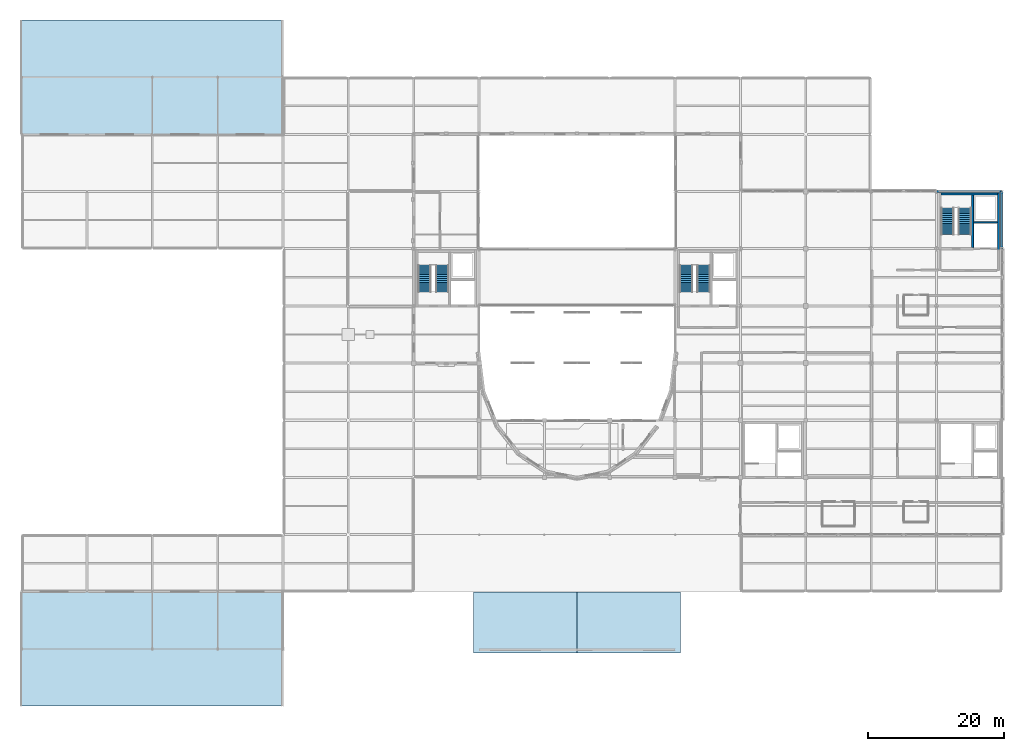
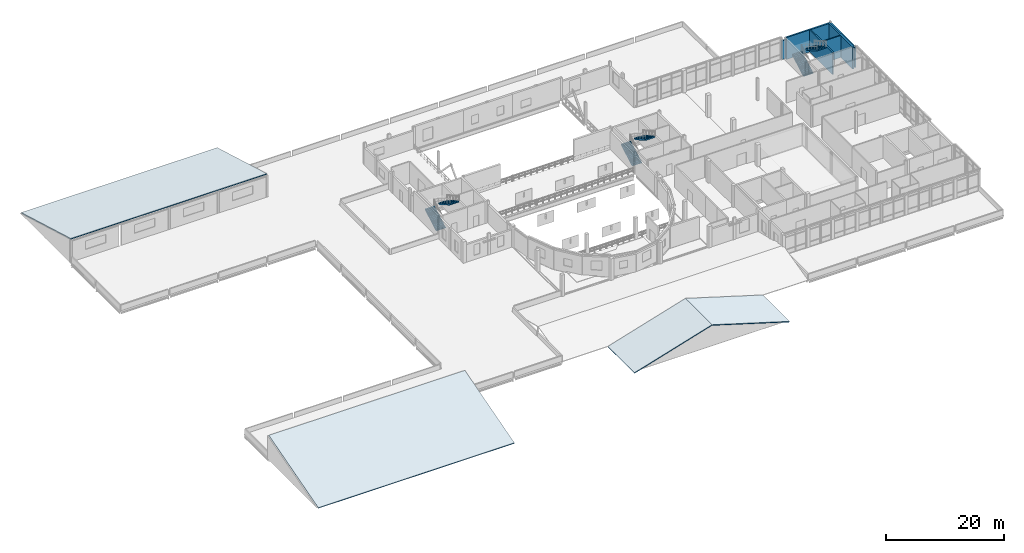
# One storey, part 44 of 52: 6 stair flights, 6 walls, 4 roofs, 3 elements without a shape of their own.
"""IFC4 building model written with IfcOpenShell, lengths in metres."""

from ifc_helpers import new_model, si_unit, direction, frame, frame_2d, origin, place, context, subcontext, project, spatial, polyline, rectangle, outline, extrude, material, layer, layer_set, type_object, element, aggregate, save


model = new_model("IFC4")

# Units and contexts
model_context = context("Model", 3, precision=1e-05, world=origin(), true_north=direction((0.0, 1.0)))
body_context = subcontext(model_context, "Body", "Model", "MODEL_VIEW")
ifc_project = project(units=[si_unit("LENGTHUNIT", "METRE"), si_unit("AREAUNIT", "SQUARE_METRE"), si_unit("VOLUMEUNIT", "CUBIC_METRE"), si_unit("PLANEANGLEUNIT", "RADIAN"), si_unit("MASSUNIT", "GRAM", prefix="KILO")], contexts=[model_context])

# Site, building, storey
site_placement = place(None, origin())
site = spatial("IfcSite", under=ifc_project, at=site_placement, CompositionType="ELEMENT")
building_placement = place(site_placement, origin())
building = spatial("IfcBuilding", under=site, at=building_placement, Name="Lornevale Opera House", CompositionType="ELEMENT")
storey_placement = place(building_placement, frame((0.0, 0.0, 15.0)))
storey = spatial("IfcBuildingStorey", under=building, at=storey_placement, Name="L04", CompositionType="ELEMENT", Elevation=15.0)

# Walls
ifc_material_1 = material(Name="Queenston Buff Limestone Ashlar Masonry (25 MPa)", Category="masonry")
ifc_layer_1 = layer(ifc_material_1, 0.324951171875)
ifc_layer_set_1 = layer_set([ifc_layer_1], Name="Queenston Buff Limestone Ashlar Masonry (25 MPa)")
wall_type_1 = type_object("IfcWallType", Name="Backstage Limestone Facade Wall 325", PredefinedType="SOLIDWALL", material=ifc_layer_set_1)
wall_1_placement = place(storey_placement, frame((134.419921875, 75.60009765625, 0.0), z_axis=(0.0, 0.0, 1.0), x_axis=(1.0, 0.0, 0.0)))
element("IfcWall", 1, at=wall_1_placement, inside=storey, type_object=wall_type_1, Name="Backstage Limestone Facade Wall 325 WL-EXT-0264", PredefinedType="SOLIDWALL", context=body_context, shape_type="SweptSolid", body=[
    extrude(rectangle(XDim=9.56005859375, YDim=0.324951171875, at=frame_2d((4.780029296875, 0.0))), origin(), (0.0, 0.0, 1.0), 3.85693359375),
])
wall_2_placement = place(storey_placement, frame((144.0, 75.580078125, 0.0), z_axis=(0.0, 0.0, 1.0), x_axis=(0.0, -1.0, 0.0)))
element("IfcWall", 2, at=wall_2_placement, inside=storey, type_object=wall_type_1, Name="Backstage Limestone Facade Wall 325 WL-EXT-0265", PredefinedType="SOLIDWALL", context=body_context, shape_type="SweptSolid", body=[
    extrude(rectangle(XDim=8.360107421875, YDim=0.324951171875, at=frame_2d((4.18017578125, 0.0))), origin(), (0.0, 0.0, 1.0), 4.22802734375),
])
ifc_material_2 = material(Name="Concrete 40 MPa (CSA A23.1 C-1)", Category="concrete")
ifc_layer_2 = layer(ifc_material_2, 0.320068359375)
ifc_layer_set_2 = layer_set([ifc_layer_2], Name="Concrete 40 MPa (CSA A23.1 C-1)")
wall_type_2 = type_object("IfcWallType", Name="Core Shear Wall 320", PredefinedType="SHEAR", material=ifc_layer_set_2)
wall_3_placement = place(storey_placement, frame((143.340087890625, 75.239990234375, 0.0), z_axis=(0.0, 0.0, 1.0), x_axis=(-1.0, 0.0, 0.0)))
element("IfcWall", 3, at=wall_3_placement, inside=storey, type_object=wall_type_2, Name="Backstage Firefighter Core East Core Shear Wall 320 WL-COR-0298", PredefinedType="SHEAR", context=body_context, shape_type="SweptSolid", body=[
    extrude(rectangle(XDim=8.280029296875, YDim=0.320068359375, at=frame_2d((4.14013671875, 0.0))), origin(), (0.0, 0.0, 1.0), 4.56005859375),
])
wall_4_placement = place(storey_placement, frame((143.5, 67.0400390625, 0.0), z_axis=(0.0, 0.0, 1.0), x_axis=(0.0, 1.0, 0.0)))
element("IfcWall", 4, at=wall_4_placement, inside=storey, type_object=wall_type_2, Name="Backstage Firefighter Core East Core Shear Wall 320 WL-COR-0300", PredefinedType="SHEAR", context=body_context, shape_type="SweptSolid", body=[
    extrude(rectangle(XDim=8.35986328125, YDim=0.320068359375, at=frame_2d((4.179931640625, 0.0))), origin(), (0.0, 0.0, 1.0), 4.56005859375),
])
ifc_layer_3 = layer(ifc_material_2, 0.280029296875)
ifc_layer_set_3 = layer_set([ifc_layer_3], Name="Concrete 40 MPa (CSA A23.1 C-1)")
wall_type_3 = type_object("IfcWallType", Name="Elevator Shaft Wall 280", PredefinedType="SHEAR", material=ifc_layer_set_3)
wall_5_placement = place(storey_placement, frame((139.699951171875, 67.360107421875, 0.0), z_axis=(0.0, 0.0, 1.0), x_axis=(0.0, 1.0, 0.0)))
element("IfcWall", 5, at=wall_5_placement, inside=storey, type_object=wall_type_3, Name="Backstage Firefighter Core East Elevator Shaft Wall 280 WL-COR-0301", PredefinedType="SHEAR", context=body_context, shape_type="SweptSolid", body=[
    extrude(rectangle(XDim=7.719970703125, YDim=0.280029296875, at=frame_2d((3.85986328125, 0.0))), origin(), (0.0, 0.0, 1.0), 4.56005859375),
])
ifc_material_3 = material(Name="Moisture-Resistant Ceramic & Gypsum Partition", Category="gypsum")
ifc_layer_4 = layer(ifc_material_3, 0.179931640625)
ifc_layer_set_4 = layer_set([ifc_layer_4], Name="Moisture-Resistant Ceramic & Gypsum Partition")
wall_type_4 = type_object("IfcWallType", Name="Riser Shaft Wall 180", PredefinedType="SOLIDWALL", material=ifc_layer_set_4)
wall_6_placement = place(storey_placement, frame((139.840087890625, 71.10009765625, 0.0), z_axis=(0.0, 0.0, 1.0), x_axis=(1.0, 0.0, 0.0)))
element("IfcWall", 6, at=wall_6_placement, inside=storey, type_object=wall_type_4, Name="Backstage Firefighter Core East Riser Shaft Wall 180 WL-COR-0302", PredefinedType="SOLIDWALL", context=body_context, shape_type="SweptSolid", body=[
    extrude(rectangle(XDim=3.5, YDim=0.179931640625, at=frame_2d((1.75, 0.0))), origin(), (0.0, 0.0, 1.0), 4.56005859375),
])

# Stair, stair flights
ifc_material_4 = material(Name="Concrete 35 MPa (CSA A23.1 N)", Category="concrete")
ifc_layer_5 = layer(ifc_material_4, 4.800048828125)
ifc_layer_set_5 = layer_set([ifc_layer_5], Name="Concrete 35 MPa (CSA A23.1 N)")
stair_type_1 = type_object("IfcStairType", Name="Protected Exit Stair 4800-W1840", PredefinedType="TWO_STRAIGHT_RUN_STAIR", material=ifc_layer_set_5)
stair_1_placement = place(storey_placement, origin())
stair_1 = element("IfcStair", 7, at=stair_1_placement, inside=storey, type_object=stair_type_1, Name="Auditorium West Tier Core Stair ST-19 (L04-L05)", PredefinedType="TWO_STRAIGHT_RUN_STAIR")
ifc_layer_6 = layer(ifc_material_4, 0.199951171875)
ifc_layer_set_6 = layer_set([ifc_layer_6], Name="Concrete 35 MPa (CSA A23.1 N)")
stair_flight_type_1 = type_object("IfcStairFlightType", Name="Exit Stair Flight 15R-W1840", PredefinedType="STRAIGHT", material=ifc_layer_set_6)
stair_flight_1_placement = place(storey_placement, frame((59.199951171875, 60.860107421875, 0.0), z_axis=(0.0, 0.0, 1.0), x_axis=(0.0, 1.0, 0.0)))
stair_flight_1 = element("IfcStairFlight", 8, at=stair_flight_1_placement, type_object=stair_flight_type_1, Name="ST-19 Lower Flight SF-037", NumberOfRisers=15, NumberOfTreads=14, PredefinedType="STRAIGHT", RiserHeight=0.16, TreadLength=0.28, context=body_context, shape_type="SweptSolid", body=[
    extrude(outline(polyline([(0.0, 0.0), (0.0, 0.159912109375), (0.280029296875, 0.159912109375), (0.280029296875, 0.320068359375), (0.56005859375, 0.320068359375), (0.56005859375, 0.47998046875), (0.840087890625, 0.47998046875), (0.840087890625, 0.639892578125), (1.1201171875, 0.639892578125), (1.1201171875, 0.800048828125), (1.39990234375, 0.800048828125), (1.39990234375, 0.9599609375), (1.679931640625, 0.9599609375), (1.679931640625, 1.1201171875), (1.9599609375, 1.1201171875), (1.9599609375, 1.280029296875), (2.239990234375, 1.280029296875), (2.239990234375, 1.43994140625), (2.52001953125, 1.43994140625), (2.52001953125, 1.60009765625), (2.800048828125, 1.60009765625), (2.800048828125, 1.760009765625), (3.080078125, 1.760009765625), (3.080078125, 1.919921875), (3.360107421875, 1.919921875), (3.360107421875, 2.080078125), (3.639892578125, 2.080078125), (3.639892578125, 2.239990234375), (3.919921875, 2.239990234375), (3.919921875, 2.009765625), (0.403076171875, 0.0), (0.0, 0.0)])), frame((0.0, 0.919921875, 0.0), z_axis=(0.0, -1.0, 0.0), x_axis=(1.0, 0.0, 0.0)), (0.0, 0.0, 1.0), 1.840087890625),
])
stair_flight_2_placement = place(storey_placement, frame((61.800048828125, 64.780029296875, 2.39990234375), z_axis=(0.0, 0.0, 1.0), x_axis=(0.0, -1.0, 0.0)))
stair_flight_2 = element("IfcStairFlight", 9, at=stair_flight_2_placement, type_object=stair_flight_type_1, Name="ST-19 Upper Flight SF-038", NumberOfRisers=15, NumberOfTreads=14, PredefinedType="STRAIGHT", RiserHeight=0.16, TreadLength=0.28, context=body_context, shape_type="SweptSolid", body=[
    extrude(outline(polyline([(0.0, 0.0), (0.0, 0.159912109375), (0.280029296875, 0.159912109375), (0.280029296875, 0.320068359375), (0.56005859375, 0.320068359375), (0.56005859375, 0.47998046875), (0.840087890625, 0.47998046875), (0.840087890625, 0.639892578125), (1.1201171875, 0.639892578125), (1.1201171875, 0.800048828125), (1.39990234375, 0.800048828125), (1.39990234375, 0.9599609375), (1.679931640625, 0.9599609375), (1.679931640625, 1.1201171875), (1.9599609375, 1.1201171875), (1.9599609375, 1.280029296875), (2.239990234375, 1.280029296875), (2.239990234375, 1.43994140625), (2.52001953125, 1.43994140625), (2.52001953125, 1.60009765625), (2.800048828125, 1.60009765625), (2.800048828125, 1.760009765625), (3.080078125, 1.760009765625), (3.080078125, 1.919921875), (3.360107421875, 1.919921875), (3.360107421875, 2.080078125), (3.639892578125, 2.080078125), (3.639892578125, 2.239990234375), (3.919921875, 2.239990234375), (3.919921875, 2.009765625), (0.403076171875, 0.0), (0.0, 0.0)])), frame((0.0, 0.919921875, 0.0), z_axis=(0.0, -1.0, 0.0), x_axis=(1.0, 0.0, 0.0)), (0.0, 0.0, 1.0), 1.840087890625),
])
aggregate(stair_1, [stair_flight_1, stair_flight_2])

ifc_layer_7 = layer(ifc_material_4, 4.800048828125)
ifc_layer_set_7 = layer_set([ifc_layer_7], Name="Concrete 35 MPa (CSA A23.1 N)")
stair_type_2 = type_object("IfcStairType", Name="Firefighter Core Stair 4800-W1880", PredefinedType="TWO_STRAIGHT_RUN_STAIR", material=ifc_layer_set_7)
stair_2_placement = place(storey_placement, origin())
stair_2 = element("IfcStair", 10, at=stair_2_placement, inside=storey, type_object=stair_type_2, Name="Stagehouse Firefighter Core West Stair ST-25 (L04-L05)", PredefinedType="TWO_STRAIGHT_RUN_STAIR")
ifc_layer_8 = layer(ifc_material_4, 0.219970703125)
ifc_layer_set_8 = layer_set([ifc_layer_8], Name="Concrete 35 MPa (CSA A23.1 N)")
stair_flight_type_2 = type_object("IfcStairFlightType", Name="Firefighter Flight 15R-W1880", PredefinedType="STRAIGHT", material=ifc_layer_set_8)
stair_flight_3_placement = place(storey_placement, frame((97.6201171875, 60.860107421875, 0.0), z_axis=(0.0, 0.0, 1.0), x_axis=(0.0, 1.0, 0.0)))
stair_flight_3 = element("IfcStairFlight", 11, at=stair_flight_3_placement, type_object=stair_flight_type_2, Name="ST-25 Lower Flight SF-049", NumberOfRisers=15, NumberOfTreads=14, PredefinedType="STRAIGHT", RiserHeight=0.16, TreadLength=0.28, context=body_context, shape_type="SweptSolid", body=[
    extrude(outline(polyline([(0.0, 0.0), (0.0, 0.159912109375), (0.280029296875, 0.159912109375), (0.280029296875, 0.320068359375), (0.56005859375, 0.320068359375), (0.56005859375, 0.47998046875), (0.840087890625, 0.47998046875), (0.840087890625, 0.639892578125), (1.1201171875, 0.639892578125), (1.1201171875, 0.800048828125), (1.39990234375, 0.800048828125), (1.39990234375, 0.9599609375), (1.679931640625, 0.9599609375), (1.679931640625, 1.1201171875), (1.9599609375, 1.1201171875), (1.9599609375, 1.280029296875), (2.239990234375, 1.280029296875), (2.239990234375, 1.43994140625), (2.52001953125, 1.43994140625), (2.52001953125, 1.60009765625), (2.800048828125, 1.60009765625), (2.800048828125, 1.760009765625), (3.080078125, 1.760009765625), (3.080078125, 1.919921875), (3.360107421875, 1.919921875), (3.360107421875, 2.080078125), (3.639892578125, 2.080078125), (3.639892578125, 2.239990234375), (3.919921875, 2.239990234375), (3.919921875, 1.986572265625), (0.443359375, 0.0), (0.0, 0.0)])), frame((0.0, 0.93994140625, 0.0), z_axis=(0.0, -1.0, 0.0), x_axis=(1.0, 0.0, 0.0)), (0.0, 0.0, 1.0), 1.8798828125),
])
stair_flight_4_placement = place(storey_placement, frame((100.179931640625, 64.780029296875, 2.39990234375), z_axis=(0.0, 0.0, 1.0), x_axis=(0.0, -1.0, 0.0)))
stair_flight_4 = element("IfcStairFlight", 12, at=stair_flight_4_placement, type_object=stair_flight_type_2, Name="ST-25 Upper Flight SF-050", NumberOfRisers=15, NumberOfTreads=14, PredefinedType="STRAIGHT", RiserHeight=0.16, TreadLength=0.28, context=body_context, shape_type="SweptSolid", body=[
    extrude(outline(polyline([(0.0, 0.0), (0.0, 0.159912109375), (0.280029296875, 0.159912109375), (0.280029296875, 0.320068359375), (0.56005859375, 0.320068359375), (0.56005859375, 0.47998046875), (0.840087890625, 0.47998046875), (0.840087890625, 0.639892578125), (1.1201171875, 0.639892578125), (1.1201171875, 0.800048828125), (1.39990234375, 0.800048828125), (1.39990234375, 0.9599609375), (1.679931640625, 0.9599609375), (1.679931640625, 1.1201171875), (1.9599609375, 1.1201171875), (1.9599609375, 1.280029296875), (2.239990234375, 1.280029296875), (2.239990234375, 1.43994140625), (2.52001953125, 1.43994140625), (2.52001953125, 1.60009765625), (2.800048828125, 1.60009765625), (2.800048828125, 1.760009765625), (3.080078125, 1.760009765625), (3.080078125, 1.919921875), (3.360107421875, 1.919921875), (3.360107421875, 2.080078125), (3.639892578125, 2.080078125), (3.639892578125, 2.239990234375), (3.919921875, 2.239990234375), (3.919921875, 1.986572265625), (0.443359375, 0.0), (0.0, 0.0)])), frame((0.0, 0.93994140625, 0.0), z_axis=(0.0, -1.0, 0.0), x_axis=(1.0, 0.0, 0.0)), (0.0, 0.0, 1.0), 1.8798828125),
])
aggregate(stair_2, [stair_flight_3, stair_flight_4])

stair_3_placement = place(storey_placement, origin())
stair_3 = element("IfcStair", 13, at=stair_3_placement, inside=storey, type_object=stair_type_2, Name="Backstage Firefighter Core East Stair ST-33 (L04-L05)", PredefinedType="TWO_STRAIGHT_RUN_STAIR")
stair_flight_5_placement = place(storey_placement, frame((136.02001953125, 69.260009765625, 0.0), z_axis=(0.0, 0.0, 1.0), x_axis=(0.0, 1.0, 0.0)))
stair_flight_5 = element("IfcStairFlight", 14, at=stair_flight_5_placement, type_object=stair_flight_type_2, Name="ST-33 Lower Flight SF-065", NumberOfRisers=15, NumberOfTreads=14, PredefinedType="STRAIGHT", RiserHeight=0.16, TreadLength=0.28, context=body_context, shape_type="SweptSolid", body=[
    extrude(outline(polyline([(0.0, 0.0), (0.0, 0.159912109375), (0.280029296875, 0.159912109375), (0.280029296875, 0.320068359375), (0.56005859375, 0.320068359375), (0.56005859375, 0.47998046875), (0.840087890625, 0.47998046875), (0.840087890625, 0.639892578125), (1.1201171875, 0.639892578125), (1.1201171875, 0.800048828125), (1.39990234375, 0.800048828125), (1.39990234375, 0.9599609375), (1.679931640625, 0.9599609375), (1.679931640625, 1.1201171875), (1.9599609375, 1.1201171875), (1.9599609375, 1.280029296875), (2.239990234375, 1.280029296875), (2.239990234375, 1.43994140625), (2.52001953125, 1.43994140625), (2.52001953125, 1.60009765625), (2.800048828125, 1.60009765625), (2.800048828125, 1.760009765625), (3.080078125, 1.760009765625), (3.080078125, 1.919921875), (3.360107421875, 1.919921875), (3.360107421875, 2.080078125), (3.639892578125, 2.080078125), (3.639892578125, 2.239990234375), (3.919921875, 2.239990234375), (3.919921875, 1.986572265625), (0.443359375, 0.0), (0.0, 0.0)])), frame((0.0, 0.93994140625, 0.0), z_axis=(0.0, -1.0, 0.0), x_axis=(1.0, 0.0, 0.0)), (0.0, 0.0, 1.0), 1.8798828125),
])
stair_flight_6_placement = place(storey_placement, frame((138.580078125, 73.179931640625, 2.39990234375), z_axis=(0.0, 0.0, 1.0), x_axis=(0.0, -1.0, 0.0)))
stair_flight_6 = element("IfcStairFlight", 15, at=stair_flight_6_placement, type_object=stair_flight_type_2, Name="ST-33 Upper Flight SF-066", NumberOfRisers=15, NumberOfTreads=14, PredefinedType="STRAIGHT", RiserHeight=0.16, TreadLength=0.28, context=body_context, shape_type="SweptSolid", body=[
    extrude(outline(polyline([(0.0, 0.0), (0.0, 0.159912109375), (0.280029296875, 0.159912109375), (0.280029296875, 0.320068359375), (0.56005859375, 0.320068359375), (0.56005859375, 0.47998046875), (0.840087890625, 0.47998046875), (0.840087890625, 0.639892578125), (1.1201171875, 0.639892578125), (1.1201171875, 0.800048828125), (1.39990234375, 0.800048828125), (1.39990234375, 0.9599609375), (1.679931640625, 0.9599609375), (1.679931640625, 1.1201171875), (1.9599609375, 1.1201171875), (1.9599609375, 1.280029296875), (2.239990234375, 1.280029296875), (2.239990234375, 1.43994140625), (2.52001953125, 1.43994140625), (2.52001953125, 1.60009765625), (2.800048828125, 1.60009765625), (2.800048828125, 1.760009765625), (3.080078125, 1.760009765625), (3.080078125, 1.919921875), (3.360107421875, 1.919921875), (3.360107421875, 2.080078125), (3.639892578125, 2.080078125), (3.639892578125, 2.239990234375), (3.919921875, 2.239990234375), (3.919921875, 1.986572265625), (0.443359375, 0.0), (0.0, 0.0)])), frame((0.0, 0.93994140625, 0.0), z_axis=(0.0, -1.0, 0.0), x_axis=(1.0, 0.0, 0.0)), (0.0, 0.0, 1.0), 1.8798828125),
])
aggregate(stair_3, [stair_flight_5, stair_flight_6])

# Roofs
ifc_material_5 = material(Name="Standing-Seam Satin Zinc Roofing", Category="metal")
ifc_layer_9 = layer(ifc_material_5, 0.14990234375)
ifc_layer_set_9 = layer_set([ifc_layer_9], Name="Standing-Seam Satin Zinc Roofing")
roof_type_1 = type_object("IfcRoofType", Name="Monopitch Zinc Studio Roof", PredefinedType="SHED_ROOF", material=ifc_layer_set_9)
for number, where, z_axis, x_axis, name in (
    (16, (0.0, 0.0, 0.0), (0.0, -0.275613989365, 0.961268395853), (1.0, 0.0, 0.0), "Monopitch Zinc Studio Roof RF-MONO-01"),
    (17, (0.0, 84.0, 4.81689453125), (0.0, 0.275613989365, 0.961268395853), (1.0, 0.0, 0.0), "Monopitch Zinc Studio Roof RF-MONO-02"),
):
    element("IfcRoof", number, at=place(storey_placement, frame(where, z_axis=z_axis, x_axis=x_axis)), inside=storey, type_object=roof_type_1, Name=name, PredefinedType="SHED_ROOF", context=body_context, shape_type="SweptSolid", body=[
        extrude(outline(polyline([(0.0, 0.0), (38.39990234375, 0.0), (38.39990234375, 17.476959505376506), (0.0, 17.476959505376506), (0.0, 0.0)])), origin(), (0.0, 0.0, -1.0), 0.14990234375),
    ])
ifc_material_6 = material(Name="Standing-Seam Patinated Copper Roofing", Category="metal")
ifc_layer_10 = layer(ifc_material_6, 0.159912109375)
ifc_layer_set_10 = layer_set([ifc_layer_10], Name="Standing-Seam Patinated Copper Roofing")
roof_type_2 = type_object("IfcRoofType", Name="Standing-Seam Copper Gable Roof", PredefinedType="GABLE_ROOF", material=ifc_layer_set_10)
roof_1_placement = place(storey_placement, frame((66.39990234375, 7.800048828125, -0.02001953125), z_axis=(-0.290814259558, 0.0, 0.956779528647), x_axis=(0.956779528647, 0.0, 0.290814259558)))
element("IfcRoof", 18, at=roof_1_placement, inside=storey, type_object=roof_type_2, Name="Postmodern Portico Pediment Roof RF-PORT-01", PredefinedType="GABLE_ROOF", context=body_context, shape_type="SweptSolid", body=[
    extrude(outline(polyline([(0.0, 0.0), (15.886831665388158, 0.0), (15.886831665388158, 8.999999999999998), (0.0, 8.999999999999998), (0.0, 0.0)])), origin(), (0.0, 0.0, -1.0), 0.159912109375),
])
roof_2_placement = place(storey_placement, frame((81.60009765625, 7.800048828125, 4.60009765625), z_axis=(0.290818535546, 0.0, 0.956778228945), x_axis=(0.956778228945, 0.0, -0.290818535546)))
element("IfcRoof", 19, at=roof_2_placement, inside=storey, type_object=roof_type_2, Name="Postmodern Portico Pediment Roof RF-PORT-02", PredefinedType="GABLE_ROOF", context=body_context, shape_type="SweptSolid", body=[
    extrude(outline(polyline([(0.0, 0.0), (15.886598076794701, 0.0), (15.886598076794701, 8.999999999999998), (0.0, 8.999999999999998), (0.0, 0.0)])), origin(), (0.0, 0.0, -1.0), 0.159912109375),
])

save(model, "model.ifc")
